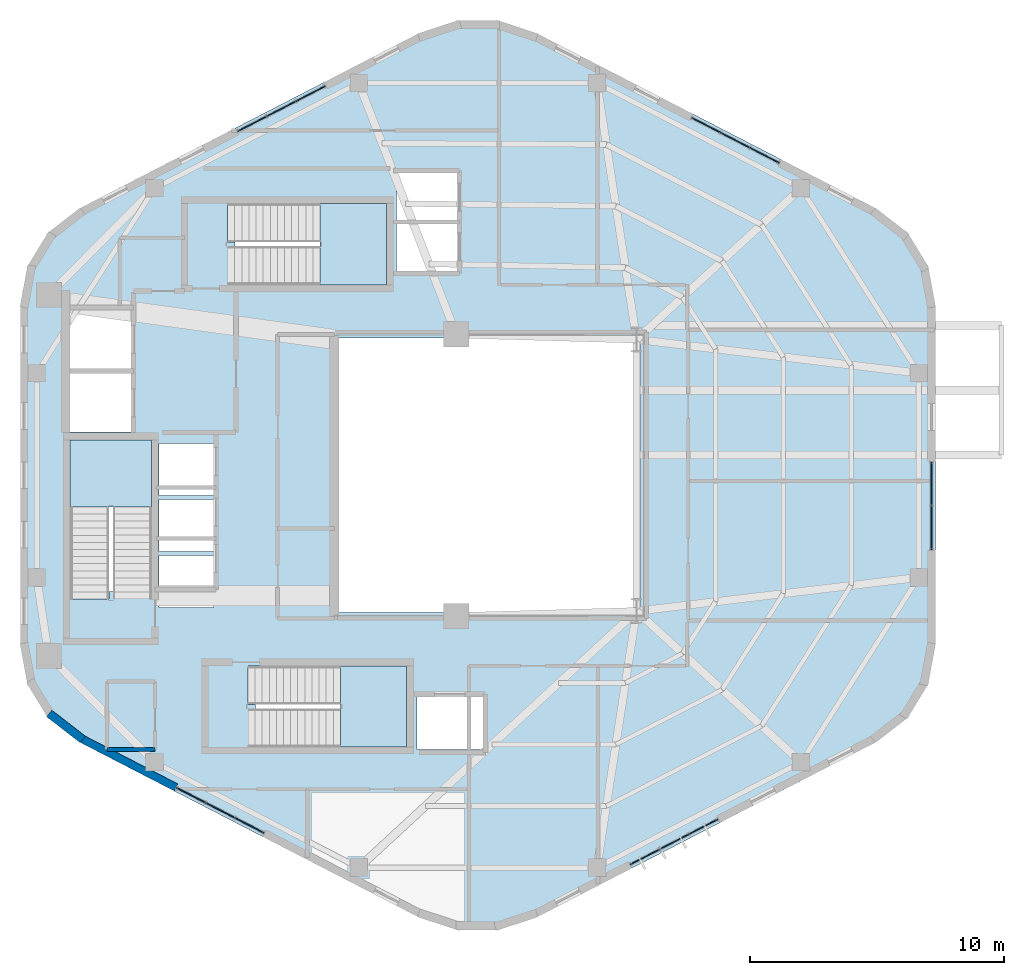
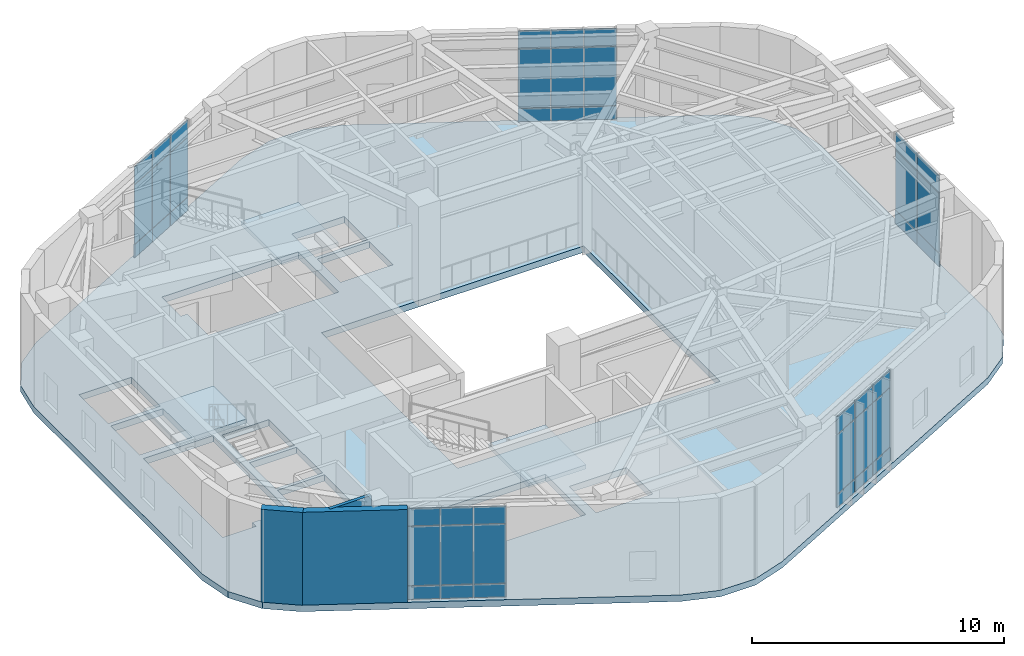
# One storey, part 13 of 18: 42 plates, 4 slabs, 3 walls, 8 elements without a shape of their own.
"""IFC4 building model written with IfcOpenShell, lengths in metres."""

from ifc_helpers import new_model, si_unit, direction, frame, frame_2d, origin, origin_2d, place, context, subcontext, project, spatial, polyline, rectangle, outline, extrude, material, layer, layer_set, type_object, element, aggregate, save


model = new_model("IFC4")

# Units and contexts
model_context = context("Model", 3, precision=1e-05, world=origin(), true_north=direction((0.0, 1.0)))
body_context = subcontext(model_context, "Body", "Model", "MODEL_VIEW")
ifc_project = project(units=[si_unit("LENGTHUNIT", "METRE"), si_unit("AREAUNIT", "SQUARE_METRE"), si_unit("VOLUMEUNIT", "CUBIC_METRE"), si_unit("PLANEANGLEUNIT", "RADIAN"), si_unit("MASSUNIT", "GRAM", prefix="KILO"), si_unit("THERMODYNAMICTEMPERATUREUNIT", "KELVIN"), si_unit("POWERUNIT", "WATT")], contexts=[model_context])

# Site, building, storey
site_placement = place(None, origin())
site = spatial("IfcSite", under=ifc_project, at=site_placement, CompositionType="ELEMENT")
building_placement = place(site_placement, origin())
building = spatial("IfcBuilding", under=site, at=building_placement, Name="Skarre Station Tower", CompositionType="ELEMENT")
storey_placement = place(building_placement, frame((0.0, 0.0, 270.300048828125)))
storey = spatial("IfcBuildingStorey", under=building, at=storey_placement, Name="L74", CompositionType="ELEMENT", Elevation=270.300048828125)

# Curtain wall, plates
ifc_material_1 = material(Name="Thermally Broken Bronze-Anodized Aluminium & Triple Low-E Glass", Category="aluminium")
ifc_layer_1 = layer(ifc_material_1, 0.219970703125, Name="Thermally Broken Bronze-Anodized Aluminium & Triple Low-E Glass")
ifc_layer_set_1 = layer_set([ifc_layer_1], Name="Thermally Broken Bronze-Anodized Aluminium & Triple Low-E Glass")
curtain_wall_type = type_object("IfcCurtainWallType", Name="Observation Deck Panorama Unitised Curtain Wall", PredefinedType="NOTDEFINED", material=ifc_layer_set_1)
curtain_wall_1_placement = place(storey_placement, origin())
curtain_wall_1 = element("IfcCurtainWall", 1, at=curtain_wall_1_placement, inside=storey, type_object=curtain_wall_type, Name="L74 Facet 0 Observatory Curtain Wall", PredefinedType="NOTDEFINED")
ifc_material_2 = material(Name="Insulated Bronze Anodized Aluminium Spandrel", Category="aluminium")
ifc_layer_2 = layer(ifc_material_2, 0.052001953125, Name="Insulated Bronze Anodized Aluminium Spandrel")
ifc_layer_set_2 = layer_set([ifc_layer_2], Name="Insulated Bronze Anodized Aluminium Spandrel")
plate_type_1 = type_object("IfcPlateType", Name="Bronze Insulated Spandrel Sheet Panel 52", PredefinedType="SHEET", material=ifc_layer_set_2)
plate_1_placement = place(storey_placement, frame((42.180908203125, 37.7890625, 0.0517578125), z_axis=(0.0, 0.0, 1.0), x_axis=(0.88848110948, -0.458913192332, 0.0)))
plate_1 = element("IfcPlate", 2, at=plate_1_placement, type_object=plate_type_1, Name="L74 Facet 0 Observatory Curtain Wall Spandrel Panel 1-1", PredefinedType="SHEET", context=body_context, shape_type="SweptSolid", body=[
    extrude(rectangle(XDim=1.282958984375, YDim=0.052001953125, at=origin_2d()), origin(), (0.0, 0.0, 1.0), 0.635986328125),
])
plate_2_placement = place(storey_placement, frame((43.341064453125, 37.18896484375, 0.0517578125), z_axis=(0.0, 0.0, 1.0), x_axis=(0.88848110948, -0.458913192332, 0.0)))
plate_2 = element("IfcPlate", 3, at=plate_2_placement, type_object=plate_type_1, Name="L74 Facet 0 Observatory Curtain Wall Spandrel Panel 2-1", PredefinedType="SHEET", context=body_context, shape_type="SweptSolid", body=[
    extrude(rectangle(XDim=1.282958984375, YDim=0.052001953125, at=origin_2d()), origin(), (0.0, 0.0, 1.0), 0.635986328125),
])
plate_3_placement = place(storey_placement, frame((44.501953125, 36.590087890625, 0.0517578125), z_axis=(0.0, 0.0, 1.0), x_axis=(0.88848110948, -0.458913192332, 0.0)))
plate_3 = element("IfcPlate", 4, at=plate_3_placement, type_object=plate_type_1, Name="L74 Facet 0 Observatory Curtain Wall Spandrel Panel 3-1", PredefinedType="SHEET", context=body_context, shape_type="SweptSolid", body=[
    extrude(rectangle(XDim=1.282958984375, YDim=0.052001953125, at=origin_2d()), origin(), (0.0, 0.0, 1.0), 0.635986328125),
])

curtain_wall_2_placement = place(storey_placement, origin())
curtain_wall_2 = element("IfcCurtainWall", 5, at=curtain_wall_2_placement, inside=storey, type_object=curtain_wall_type, Name="L74 Facet 1 Observatory Curtain Wall", PredefinedType="NOTDEFINED")
plate_4_placement = place(storey_placement, frame((24.30908203125, 37.8349609375, 0.0517578125), z_axis=(0.0, 0.0, 1.0), x_axis=(0.88848110948, 0.458913192332, 0.0)))
plate_4 = element("IfcPlate", 6, at=plate_4_placement, type_object=plate_type_1, Name="L74 Facet 1 Observatory Curtain Wall Spandrel Panel 1-1", PredefinedType="SHEET", context=body_context, shape_type="SweptSolid", body=[
    extrude(rectangle(XDim=1.282958984375, YDim=0.052001953125, at=origin_2d()), origin(), (0.0, 0.0, 1.0), 0.635986328125),
])
plate_5_placement = place(storey_placement, frame((25.470947265625, 38.43408203125, 0.0517578125), z_axis=(0.0, 0.0, 1.0), x_axis=(0.88848110948, 0.458913192332, 0.0)))
plate_5 = element("IfcPlate", 7, at=plate_5_placement, type_object=plate_type_1, Name="L74 Facet 1 Observatory Curtain Wall Spandrel Panel 2-1", PredefinedType="SHEET", context=body_context, shape_type="SweptSolid", body=[
    extrude(rectangle(XDim=1.282958984375, YDim=0.052001953125, at=origin_2d()), origin(), (0.0, 0.0, 1.0), 0.635986328125),
])
plate_6_placement = place(storey_placement, frame((26.631103515625, 39.033935546875, 0.0517578125), z_axis=(0.0, 0.0, 1.0), x_axis=(0.88848110948, 0.458913192332, 0.0)))
plate_6 = element("IfcPlate", 8, at=plate_6_placement, type_object=plate_type_1, Name="L74 Facet 1 Observatory Curtain Wall Spandrel Panel 3-1", PredefinedType="SHEET", context=body_context, shape_type="SweptSolid", body=[
    extrude(rectangle(XDim=1.282958984375, YDim=0.052001953125, at=origin_2d()), origin(), (0.0, 0.0, 1.0), 0.635986328125),
])

curtain_wall_3_placement = place(storey_placement, origin())
curtain_wall_3 = element("IfcCurtainWall", 9, at=curtain_wall_3_placement, inside=storey, type_object=curtain_wall_type, Name="L74 Facet 3 Observatory Curtain Wall", PredefinedType="NOTDEFINED")
plate_7_placement = place(storey_placement, frame((24.219970703125, 10.2109375, 0.0517578125), z_axis=(0.0, 0.0, 1.0), x_axis=(-0.88848110948, 0.458913192332, 0.0)))
plate_7 = element("IfcPlate", 10, at=plate_7_placement, type_object=plate_type_1, Name="L74 Facet 3 Observatory Curtain Wall Spandrel Panel 1-1", PredefinedType="SHEET", context=body_context, shape_type="SweptSolid", body=[
    extrude(rectangle(XDim=1.282958984375, YDim=0.052001953125, at=origin_2d()), origin(), (0.0, 0.0, 1.0), 0.635986328125),
])
plate_8_placement = place(storey_placement, frame((23.05908203125, 10.81103515625, 0.0517578125), z_axis=(0.0, 0.0, 1.0), x_axis=(-0.88848110948, 0.458913192332, 0.0)))
plate_8 = element("IfcPlate", 11, at=plate_8_placement, type_object=plate_type_1, Name="L74 Facet 3 Observatory Curtain Wall Spandrel Panel 2-1", PredefinedType="SHEET", context=body_context, shape_type="SweptSolid", body=[
    extrude(rectangle(XDim=1.282958984375, YDim=0.052001953125, at=origin_2d()), origin(), (0.0, 0.0, 1.0), 0.635986328125),
])
plate_9_placement = place(storey_placement, frame((21.89794921875, 11.409912109375, 0.0517578125), z_axis=(0.0, 0.0, 1.0), x_axis=(-0.88848110948, 0.458913192332, 0.0)))
plate_9 = element("IfcPlate", 12, at=plate_9_placement, type_object=plate_type_1, Name="L74 Facet 3 Observatory Curtain Wall Spandrel Panel 3-1", PredefinedType="SHEET", context=body_context, shape_type="SweptSolid", body=[
    extrude(rectangle(XDim=1.282958984375, YDim=0.052001953125, at=origin_2d()), origin(), (0.0, 0.0, 1.0), 0.635986328125),
])

curtain_wall_4_placement = place(storey_placement, origin())
curtain_wall_4 = element("IfcCurtainWall", 13, at=curtain_wall_4_placement, inside=storey, type_object=curtain_wall_type, Name="L74 Facet 4 Observatory Curtain Wall", PredefinedType="NOTDEFINED")
plate_10_placement = place(storey_placement, frame((42.090087890625, 10.1650390625, 0.0517578125), z_axis=(0.0, 0.0, 1.0), x_axis=(-0.88848110948, -0.458913192332, 0.0)))
plate_10 = element("IfcPlate", 14, at=plate_10_placement, type_object=plate_type_1, Name="L74 Facet 4 Observatory Curtain Wall Spandrel Panel 1-1", PredefinedType="SHEET", context=body_context, shape_type="SweptSolid", body=[
    extrude(rectangle(XDim=1.282958984375, YDim=0.052001953125, at=origin_2d()), origin(), (0.0, 0.0, 1.0), 0.635986328125),
])
plate_11_placement = place(storey_placement, frame((40.929931640625, 9.56591796875, 0.0517578125), z_axis=(0.0, 0.0, 1.0), x_axis=(-0.88848110948, -0.458913192332, 0.0)))
plate_11 = element("IfcPlate", 15, at=plate_11_placement, type_object=plate_type_1, Name="L74 Facet 4 Observatory Curtain Wall Spandrel Panel 2-1", PredefinedType="SHEET", context=body_context, shape_type="SweptSolid", body=[
    extrude(rectangle(XDim=1.282958984375, YDim=0.052001953125, at=origin_2d()), origin(), (0.0, 0.0, 1.0), 0.635986328125),
])
plate_12_placement = place(storey_placement, frame((39.76904296875, 8.966064453125, 0.0517578125), z_axis=(0.0, 0.0, 1.0), x_axis=(-0.88848110948, -0.458913192332, 0.0)))
plate_12 = element("IfcPlate", 16, at=plate_12_placement, type_object=plate_type_1, Name="L74 Facet 4 Observatory Curtain Wall Spandrel Panel 3-1", PredefinedType="SHEET", context=body_context, shape_type="SweptSolid", body=[
    extrude(rectangle(XDim=1.282958984375, YDim=0.052001953125, at=origin_2d()), origin(), (0.0, 0.0, 1.0), 0.635986328125),
])

curtain_wall_5_placement = place(storey_placement, origin())
curtain_wall_5 = element("IfcCurtainWall", 17, at=curtain_wall_5_placement, inside=storey, type_object=curtain_wall_type, Name="L74 Facet 5 Observatory Curtain Wall", PredefinedType="NOTDEFINED")
plate_13_placement = place(storey_placement, frame((51.05810546875, 23.6650390625, 0.0517578125), z_axis=(0.0, 0.0, 1.0), x_axis=(0.0, -1.0, 0.0)))
plate_13 = element("IfcPlate", 18, at=plate_13_placement, type_object=plate_type_1, Name="L74 Facet 5 Observatory Curtain Wall Spandrel Panel 1-1", PredefinedType="SHEET", context=body_context, shape_type="SweptSolid", body=[
    extrude(rectangle(XDim=1.718994140625, YDim=0.052001953125, at=origin_2d()), origin(), (0.0, 0.0, 1.0), 0.635986328125),
])
plate_14_placement = place(storey_placement, frame((51.05810546875, 21.922119140625, 0.0517578125), z_axis=(0.0, 0.0, 1.0), x_axis=(0.0, -1.0, 0.0)))
plate_14 = element("IfcPlate", 19, at=plate_14_placement, type_object=plate_type_1, Name="L74 Facet 5 Observatory Curtain Wall Spandrel Panel 2-1", PredefinedType="SHEET", context=body_context, shape_type="SweptSolid", body=[
    extrude(rectangle(XDim=1.718994140625, YDim=0.052001953125, at=origin_2d()), origin(), (0.0, 0.0, 1.0), 0.635986328125),
])

# Slab
ifc_material_3 = material(Name="Concrete C50/60", Category="concrete")
ifc_layer_3 = layer(ifc_material_3, 0.31005859375, Name="Concrete C50/60")
ifc_layer_set_3 = layer_set([ifc_layer_3], Name="Concrete C50/60")
slab_type_1 = type_object("IfcSlabType", Name="Podium & Plant Structural Slab 310", PredefinedType="FLOOR", material=ifc_layer_set_3)
slab_1_placement = place(storey_placement, frame((0.0, 0.0, -0.31005859375)))
element("IfcSlab", 20, at=slab_1_placement, inside=storey, type_object=slab_type_1, Name="L74 Zone 4 Structural Floor Slab", PredefinedType="FLOOR", context=body_context, shape_type="SweptSolid", body=[
    extrude(outline(polyline([(51.212890625, 30.701904296875), (50.93310546875, 32.222900390625), (50.1279296875, 33.544921875), (48.905029296875, 34.491943359375), (35.508056640625, 41.407958984375), (33.99609375, 41.906005859375), (32.404052734375, 41.906005859375), (30.89208984375, 41.407958984375), (17.4951171875, 34.491943359375), (16.27197265625, 33.544921875), (15.467041015625, 32.222900390625), (15.18701171875, 30.701904296875), (15.18701171875, 17.298095703125), (15.467041015625, 15.777099609375), (16.27197265625, 14.455078125), (17.4951171875, 13.508056640625), (30.89208984375, 6.592041015625), (32.404052734375, 6.093994140625), (33.99609375, 6.093994140625), (35.508056640625, 6.592041015625), (48.905029296875, 13.508056640625), (50.1279296875, 14.455078125), (50.93310546875, 15.777099609375), (51.212890625, 17.298095703125), (51.212890625, 30.701904296875)]), holes=[polyline([(18.669921875, 19.419921875), (18.669921875, 19.123046875), (17.14990234375, 19.123046875), (17.14990234375, 25.39990234375), (20.35009765625, 25.39990234375), (20.35009765625, 19.419921875), (18.669921875, 19.419921875)]), polyline([(24.449951171875, 14.97998046875), (24.153076171875, 14.97998046875), (24.153076171875, 16.5), (30.39990234375, 16.5), (30.39990234375, 13.300048828125), (24.449951171875, 13.300048828125), (24.449951171875, 14.97998046875)]), polyline([(23.64990234375, 33.179931640625), (23.35302734375, 33.179931640625), (23.35302734375, 34.699951171875), (29.60009765625, 34.699951171875), (29.60009765625, 31.5), (23.64990234375, 31.5), (23.64990234375, 33.179931640625)]), polyline([(17.14990234375, 28.0), (19.550048828125, 28.0), (19.550048828125, 25.699951171875), (17.14990234375, 25.699951171875), (17.14990234375, 28.0)]), polyline([(17.14990234375, 30.5), (19.550048828125, 30.5), (19.550048828125, 28.199951171875), (17.14990234375, 28.199951171875), (17.14990234375, 30.5)]), polyline([(30.800048828125, 15.300048828125), (33.39990234375, 15.300048828125), (33.39990234375, 13.199951171875), (30.800048828125, 13.199951171875), (30.800048828125, 15.300048828125)]), polyline([(20.64990234375, 20.85009765625), (22.800048828125, 20.85009765625), (22.800048828125, 18.800048828125), (20.64990234375, 18.800048828125), (20.64990234375, 20.85009765625)]), polyline([(20.64990234375, 23.050048828125), (22.800048828125, 23.050048828125), (22.800048828125, 21.0), (20.64990234375, 21.0), (20.64990234375, 23.050048828125)]), polyline([(20.64990234375, 25.25), (22.800048828125, 25.25), (22.800048828125, 23.199951171875), (20.64990234375, 23.199951171875), (20.64990234375, 25.25)]), polyline([(30.0, 33.89990234375), (32.39990234375, 33.89990234375), (32.39990234375, 32.050048828125), (30.0, 32.050048828125), (30.0, 33.89990234375)]), polyline([(30.0, 35.89990234375), (32.39990234375, 35.89990234375), (32.39990234375, 34.050048828125), (30.0, 34.050048828125), (30.0, 35.89990234375)]), polyline([(27.60009765625, 29.39990234375), (39.60009765625, 29.39990234375), (39.60009765625, 18.60009765625), (27.60009765625, 18.60009765625), (27.60009765625, 29.39990234375)])]), origin(), (0.0, 0.0, 1.0), 0.31005859375),
])

# Stair, slab
ifc_material_4 = material(Name="Concrete C40/50", Category="concrete")
stair_type_1 = type_object("IfcStairType", Name="Reinforced Concrete Exit Stair ST-1", PredefinedType="HALF_TURN_STAIR", material=ifc_material_4)
stair_1_placement = place(storey_placement, origin())
stair_1 = element("IfcStair", 21, at=stair_1_placement, inside=storey, type_object=stair_type_1, Name="L74 Core Exit Stair ST-1", PredefinedType="HALF_TURN_STAIR")
ifc_layer_4 = layer(ifc_material_4, 0.219970703125, Name="Concrete C40/50")
ifc_layer_set_4 = layer_set([ifc_layer_4], Name="Concrete C40/50")
slab_type_2 = type_object("IfcSlabType", Name="Reinforced Concrete Stair & Ramp Landing 220", PredefinedType="LANDING", material=ifc_layer_set_4)
slab_2_placement = place(storey_placement, frame((0.0, 0.0, 2.199951171875)))
slab_2 = element("IfcSlab", 22, at=slab_2_placement, type_object=slab_type_2, Name="ST-1 landing 1", PredefinedType="LANDING", context=body_context, shape_type="SweptSolid", body=[
    extrude(outline(polyline([(20.35009765625, 22.760009765625), (20.35009765625, 25.39990234375), (17.14990234375, 25.39990234375), (17.14990234375, 22.760009765625), (20.35009765625, 22.760009765625)])), origin(), (0.0, 0.0, 1.0), 0.199951171875),
])
aggregate(stair_1, [slab_2])

stair_type_2 = type_object("IfcStairType", Name="Reinforced Concrete Exit Stair ST-2", PredefinedType="HALF_TURN_STAIR", material=ifc_material_4)
stair_2_placement = place(storey_placement, origin())
stair_2 = element("IfcStair", 23, at=stair_2_placement, inside=storey, type_object=stair_type_2, Name="L74 Core Exit Stair ST-2", PredefinedType="HALF_TURN_STAIR")
slab_3_placement = place(storey_placement, frame((0.0, 0.0, 2.199951171875)))
slab_3 = element("IfcSlab", 24, at=slab_3_placement, type_object=slab_type_2, Name="ST-2 landing 1", PredefinedType="LANDING", context=body_context, shape_type="SweptSolid", body=[
    extrude(outline(polyline([(27.7900390625, 13.300048828125), (30.39990234375, 13.300048828125), (30.39990234375, 16.5), (27.7900390625, 16.5), (27.7900390625, 13.300048828125)])), origin(), (0.0, 0.0, 1.0), 0.199951171875),
])
aggregate(stair_2, [slab_3])

stair_type_3 = type_object("IfcStairType", Name="Reinforced Concrete Exit Stair ST-3", PredefinedType="HALF_TURN_STAIR", material=ifc_material_4)
stair_3_placement = place(storey_placement, origin())
stair_3 = element("IfcStair", 25, at=stair_3_placement, inside=storey, type_object=stair_type_3, Name="L74 Core Exit Stair ST-3", PredefinedType="HALF_TURN_STAIR")
slab_4_placement = place(storey_placement, frame((0.0, 0.0, 2.199951171875)))
slab_4 = element("IfcSlab", 26, at=slab_4_placement, type_object=slab_type_2, Name="ST-3 landing 1", PredefinedType="LANDING", context=body_context, shape_type="SweptSolid", body=[
    extrude(outline(polyline([(26.989990234375, 31.5), (29.60009765625, 31.5), (29.60009765625, 34.699951171875), (26.989990234375, 34.699951171875), (26.989990234375, 31.5)])), origin(), (0.0, 0.0, 1.0), 0.199951171875),
])
aggregate(stair_3, [slab_4])

# Plate
ifc_material_5 = material(Name="Low-Iron Triple Insulating Glass Unit", Category="glass")
ifc_layer_5 = layer(ifc_material_5, 0.0439453125, Name="Low-Iron Triple Insulating Glass Unit")
ifc_layer_set_5 = layer_set([ifc_layer_5], Name="Low-Iron Triple Insulating Glass Unit")
plate_type_2 = type_object("IfcPlateType", Name="Triple-Glazed Vision Curtain Panel 44", PredefinedType="CURTAIN_PANEL", material=ifc_layer_set_5)
plate_15_placement = place(storey_placement, frame((42.180908203125, 37.7890625, 0.7119140625), z_axis=(0.0, 0.0, 1.0), x_axis=(0.88848110948, -0.458913192332, 0.0)))
plate_15 = element("IfcPlate", 27, at=plate_15_placement, type_object=plate_type_2, Name="L74 Facet 0 Observatory Curtain Wall Vision Panel 1-2", PredefinedType="CURTAIN_PANEL", context=body_context, shape_type="SweptSolid", body=[
    extrude(rectangle(XDim=1.282958984375, YDim=0.0439453125, at=origin_2d()), origin(), (0.0, 0.0, 1.0), 2.865966796875),
])

plate_16_placement = place(storey_placement, frame((42.180908203125, 37.7890625, 3.60205078125), z_axis=(0.0, 0.0, 1.0), x_axis=(0.88848110948, -0.458913192332, 0.0)))
plate_16 = element("IfcPlate", 28, at=plate_16_placement, type_object=plate_type_2, Name="L74 Facet 0 Observatory Curtain Wall Vision Panel 1-3", PredefinedType="CURTAIN_PANEL", context=body_context, shape_type="SweptSolid", body=[
    extrude(rectangle(XDim=1.282958984375, YDim=0.0439453125, at=origin_2d()), origin(), (0.0, 0.0, 1.0), 0.8359375),
])

plate_17_placement = place(storey_placement, frame((43.341064453125, 37.18896484375, 0.7119140625), z_axis=(0.0, 0.0, 1.0), x_axis=(0.88848110948, -0.458913192332, 0.0)))
plate_17 = element("IfcPlate", 29, at=plate_17_placement, type_object=plate_type_2, Name="L74 Facet 0 Observatory Curtain Wall Vision Panel 2-2", PredefinedType="CURTAIN_PANEL", context=body_context, shape_type="SweptSolid", body=[
    extrude(rectangle(XDim=1.282958984375, YDim=0.0439453125, at=origin_2d()), origin(), (0.0, 0.0, 1.0), 2.865966796875),
])

plate_18_placement = place(storey_placement, frame((43.341064453125, 37.18896484375, 3.60205078125), z_axis=(0.0, 0.0, 1.0), x_axis=(0.88848110948, -0.458913192332, 0.0)))
plate_18 = element("IfcPlate", 30, at=plate_18_placement, type_object=plate_type_2, Name="L74 Facet 0 Observatory Curtain Wall Vision Panel 2-3", PredefinedType="CURTAIN_PANEL", context=body_context, shape_type="SweptSolid", body=[
    extrude(rectangle(XDim=1.282958984375, YDim=0.0439453125, at=origin_2d()), origin(), (0.0, 0.0, 1.0), 0.8359375),
])

plate_19_placement = place(storey_placement, frame((44.501953125, 36.590087890625, 0.7119140625), z_axis=(0.0, 0.0, 1.0), x_axis=(0.88848110948, -0.458913192332, 0.0)))
plate_19 = element("IfcPlate", 31, at=plate_19_placement, type_object=plate_type_2, Name="L74 Facet 0 Observatory Curtain Wall Vision Panel 3-2", PredefinedType="CURTAIN_PANEL", context=body_context, shape_type="SweptSolid", body=[
    extrude(rectangle(XDim=1.282958984375, YDim=0.0439453125, at=origin_2d()), origin(), (0.0, 0.0, 1.0), 2.865966796875),
])

plate_20_placement = place(storey_placement, frame((44.501953125, 36.590087890625, 3.60205078125), z_axis=(0.0, 0.0, 1.0), x_axis=(0.88848110948, -0.458913192332, 0.0)))
plate_20 = element("IfcPlate", 32, at=plate_20_placement, type_object=plate_type_2, Name="L74 Facet 0 Observatory Curtain Wall Vision Panel 3-3", PredefinedType="CURTAIN_PANEL", context=body_context, shape_type="SweptSolid", body=[
    extrude(rectangle(XDim=1.282958984375, YDim=0.0439453125, at=origin_2d()), origin(), (0.0, 0.0, 1.0), 0.8359375),
])

aggregate(curtain_wall_1, [plate_1, plate_15, plate_16, plate_2, plate_17, plate_18, plate_3, plate_19, plate_20])

plate_21_placement = place(storey_placement, frame((24.30908203125, 37.8349609375, 0.7119140625), z_axis=(0.0, 0.0, 1.0), x_axis=(0.88848110948, 0.458913192332, 0.0)))
plate_21 = element("IfcPlate", 33, at=plate_21_placement, type_object=plate_type_2, Name="L74 Facet 1 Observatory Curtain Wall Vision Panel 1-2", PredefinedType="CURTAIN_PANEL", context=body_context, shape_type="SweptSolid", body=[
    extrude(rectangle(XDim=1.282958984375, YDim=0.0439453125, at=origin_2d()), origin(), (0.0, 0.0, 1.0), 2.865966796875),
])

plate_22_placement = place(storey_placement, frame((24.30908203125, 37.8349609375, 3.60205078125), z_axis=(0.0, 0.0, 1.0), x_axis=(0.88848110948, 0.458913192332, 0.0)))
plate_22 = element("IfcPlate", 34, at=plate_22_placement, type_object=plate_type_2, Name="L74 Facet 1 Observatory Curtain Wall Vision Panel 1-3", PredefinedType="CURTAIN_PANEL", context=body_context, shape_type="SweptSolid", body=[
    extrude(rectangle(XDim=1.282958984375, YDim=0.0439453125, at=origin_2d()), origin(), (0.0, 0.0, 1.0), 0.8359375),
])

plate_23_placement = place(storey_placement, frame((25.470947265625, 38.43408203125, 0.7119140625), z_axis=(0.0, 0.0, 1.0), x_axis=(0.88848110948, 0.458913192332, 0.0)))
plate_23 = element("IfcPlate", 35, at=plate_23_placement, type_object=plate_type_2, Name="L74 Facet 1 Observatory Curtain Wall Vision Panel 2-2", PredefinedType="CURTAIN_PANEL", context=body_context, shape_type="SweptSolid", body=[
    extrude(rectangle(XDim=1.282958984375, YDim=0.0439453125, at=origin_2d()), origin(), (0.0, 0.0, 1.0), 2.865966796875),
])

plate_24_placement = place(storey_placement, frame((25.470947265625, 38.43408203125, 3.60205078125), z_axis=(0.0, 0.0, 1.0), x_axis=(0.88848110948, 0.458913192332, 0.0)))
plate_24 = element("IfcPlate", 36, at=plate_24_placement, type_object=plate_type_2, Name="L74 Facet 1 Observatory Curtain Wall Vision Panel 2-3", PredefinedType="CURTAIN_PANEL", context=body_context, shape_type="SweptSolid", body=[
    extrude(rectangle(XDim=1.282958984375, YDim=0.0439453125, at=origin_2d()), origin(), (0.0, 0.0, 1.0), 0.8359375),
])

plate_25_placement = place(storey_placement, frame((26.631103515625, 39.033935546875, 0.7119140625), z_axis=(0.0, 0.0, 1.0), x_axis=(0.88848110948, 0.458913192332, 0.0)))
plate_25 = element("IfcPlate", 37, at=plate_25_placement, type_object=plate_type_2, Name="L74 Facet 1 Observatory Curtain Wall Vision Panel 3-2", PredefinedType="CURTAIN_PANEL", context=body_context, shape_type="SweptSolid", body=[
    extrude(rectangle(XDim=1.282958984375, YDim=0.0439453125, at=origin_2d()), origin(), (0.0, 0.0, 1.0), 2.865966796875),
])

plate_26_placement = place(storey_placement, frame((26.631103515625, 39.033935546875, 3.60205078125), z_axis=(0.0, 0.0, 1.0), x_axis=(0.88848110948, 0.458913192332, 0.0)))
plate_26 = element("IfcPlate", 38, at=plate_26_placement, type_object=plate_type_2, Name="L74 Facet 1 Observatory Curtain Wall Vision Panel 3-3", PredefinedType="CURTAIN_PANEL", context=body_context, shape_type="SweptSolid", body=[
    extrude(rectangle(XDim=1.282958984375, YDim=0.0439453125, at=origin_2d()), origin(), (0.0, 0.0, 1.0), 0.8359375),
])

aggregate(curtain_wall_2, [plate_4, plate_21, plate_22, plate_5, plate_23, plate_24, plate_6, plate_25, plate_26])

plate_27_placement = place(storey_placement, frame((24.219970703125, 10.2109375, 0.7119140625), z_axis=(0.0, 0.0, 1.0), x_axis=(-0.88848110948, 0.458913192332, 0.0)))
plate_27 = element("IfcPlate", 39, at=plate_27_placement, type_object=plate_type_2, Name="L74 Facet 3 Observatory Curtain Wall Vision Panel 1-2", PredefinedType="CURTAIN_PANEL", context=body_context, shape_type="SweptSolid", body=[
    extrude(rectangle(XDim=1.282958984375, YDim=0.0439453125, at=origin_2d()), origin(), (0.0, 0.0, 1.0), 2.865966796875),
])

plate_28_placement = place(storey_placement, frame((24.219970703125, 10.2109375, 3.60205078125), z_axis=(0.0, 0.0, 1.0), x_axis=(-0.88848110948, 0.458913192332, 0.0)))
plate_28 = element("IfcPlate", 40, at=plate_28_placement, type_object=plate_type_2, Name="L74 Facet 3 Observatory Curtain Wall Vision Panel 1-3", PredefinedType="CURTAIN_PANEL", context=body_context, shape_type="SweptSolid", body=[
    extrude(rectangle(XDim=1.282958984375, YDim=0.0439453125, at=origin_2d()), origin(), (0.0, 0.0, 1.0), 0.8359375),
])

plate_29_placement = place(storey_placement, frame((23.05908203125, 10.81103515625, 0.7119140625), z_axis=(0.0, 0.0, 1.0), x_axis=(-0.88848110948, 0.458913192332, 0.0)))
plate_29 = element("IfcPlate", 41, at=plate_29_placement, type_object=plate_type_2, Name="L74 Facet 3 Observatory Curtain Wall Vision Panel 2-2", PredefinedType="CURTAIN_PANEL", context=body_context, shape_type="SweptSolid", body=[
    extrude(rectangle(XDim=1.282958984375, YDim=0.0439453125, at=origin_2d()), origin(), (0.0, 0.0, 1.0), 2.865966796875),
])

plate_30_placement = place(storey_placement, frame((23.05908203125, 10.81103515625, 3.60205078125), z_axis=(0.0, 0.0, 1.0), x_axis=(-0.88848110948, 0.458913192332, 0.0)))
plate_30 = element("IfcPlate", 42, at=plate_30_placement, type_object=plate_type_2, Name="L74 Facet 3 Observatory Curtain Wall Vision Panel 2-3", PredefinedType="CURTAIN_PANEL", context=body_context, shape_type="SweptSolid", body=[
    extrude(rectangle(XDim=1.282958984375, YDim=0.0439453125, at=origin_2d()), origin(), (0.0, 0.0, 1.0), 0.8359375),
])

plate_31_placement = place(storey_placement, frame((21.89794921875, 11.409912109375, 0.7119140625), z_axis=(0.0, 0.0, 1.0), x_axis=(-0.88848110948, 0.458913192332, 0.0)))
plate_31 = element("IfcPlate", 43, at=plate_31_placement, type_object=plate_type_2, Name="L74 Facet 3 Observatory Curtain Wall Vision Panel 3-2", PredefinedType="CURTAIN_PANEL", context=body_context, shape_type="SweptSolid", body=[
    extrude(rectangle(XDim=1.282958984375, YDim=0.0439453125, at=origin_2d()), origin(), (0.0, 0.0, 1.0), 2.865966796875),
])

plate_32_placement = place(storey_placement, frame((21.89794921875, 11.409912109375, 3.60205078125), z_axis=(0.0, 0.0, 1.0), x_axis=(-0.88848110948, 0.458913192332, 0.0)))
plate_32 = element("IfcPlate", 44, at=plate_32_placement, type_object=plate_type_2, Name="L74 Facet 3 Observatory Curtain Wall Vision Panel 3-3", PredefinedType="CURTAIN_PANEL", context=body_context, shape_type="SweptSolid", body=[
    extrude(rectangle(XDim=1.282958984375, YDim=0.0439453125, at=origin_2d()), origin(), (0.0, 0.0, 1.0), 0.8359375),
])

aggregate(curtain_wall_3, [plate_7, plate_27, plate_28, plate_8, plate_29, plate_30, plate_9, plate_31, plate_32])

plate_33_placement = place(storey_placement, frame((42.090087890625, 10.1650390625, 0.7119140625), z_axis=(0.0, 0.0, 1.0), x_axis=(-0.88848110948, -0.458913192332, 0.0)))
plate_33 = element("IfcPlate", 45, at=plate_33_placement, type_object=plate_type_2, Name="L74 Facet 4 Observatory Curtain Wall Vision Panel 1-2", PredefinedType="CURTAIN_PANEL", context=body_context, shape_type="SweptSolid", body=[
    extrude(rectangle(XDim=1.282958984375, YDim=0.0439453125, at=origin_2d()), origin(), (0.0, 0.0, 1.0), 2.865966796875),
])

plate_34_placement = place(storey_placement, frame((42.090087890625, 10.1650390625, 3.60205078125), z_axis=(0.0, 0.0, 1.0), x_axis=(-0.88848110948, -0.458913192332, 0.0)))
plate_34 = element("IfcPlate", 46, at=plate_34_placement, type_object=plate_type_2, Name="L74 Facet 4 Observatory Curtain Wall Vision Panel 1-3", PredefinedType="CURTAIN_PANEL", context=body_context, shape_type="SweptSolid", body=[
    extrude(rectangle(XDim=1.282958984375, YDim=0.0439453125, at=origin_2d()), origin(), (0.0, 0.0, 1.0), 0.8359375),
])

plate_35_placement = place(storey_placement, frame((40.929931640625, 9.56591796875, 0.7119140625), z_axis=(0.0, 0.0, 1.0), x_axis=(-0.88848110948, -0.458913192332, 0.0)))
plate_35 = element("IfcPlate", 47, at=plate_35_placement, type_object=plate_type_2, Name="L74 Facet 4 Observatory Curtain Wall Vision Panel 2-2", PredefinedType="CURTAIN_PANEL", context=body_context, shape_type="SweptSolid", body=[
    extrude(rectangle(XDim=1.282958984375, YDim=0.0439453125, at=origin_2d()), origin(), (0.0, 0.0, 1.0), 2.865966796875),
])

plate_36_placement = place(storey_placement, frame((40.929931640625, 9.56591796875, 3.60205078125), z_axis=(0.0, 0.0, 1.0), x_axis=(-0.88848110948, -0.458913192332, 0.0)))
plate_36 = element("IfcPlate", 48, at=plate_36_placement, type_object=plate_type_2, Name="L74 Facet 4 Observatory Curtain Wall Vision Panel 2-3", PredefinedType="CURTAIN_PANEL", context=body_context, shape_type="SweptSolid", body=[
    extrude(rectangle(XDim=1.282958984375, YDim=0.0439453125, at=origin_2d()), origin(), (0.0, 0.0, 1.0), 0.8359375),
])

plate_37_placement = place(storey_placement, frame((39.76904296875, 8.966064453125, 0.7119140625), z_axis=(0.0, 0.0, 1.0), x_axis=(-0.88848110948, -0.458913192332, 0.0)))
plate_37 = element("IfcPlate", 49, at=plate_37_placement, type_object=plate_type_2, Name="L74 Facet 4 Observatory Curtain Wall Vision Panel 3-2", PredefinedType="CURTAIN_PANEL", context=body_context, shape_type="SweptSolid", body=[
    extrude(rectangle(XDim=1.282958984375, YDim=0.0439453125, at=origin_2d()), origin(), (0.0, 0.0, 1.0), 2.865966796875),
])

plate_38_placement = place(storey_placement, frame((39.76904296875, 8.966064453125, 3.60205078125), z_axis=(0.0, 0.0, 1.0), x_axis=(-0.88848110948, -0.458913192332, 0.0)))
plate_38 = element("IfcPlate", 50, at=plate_38_placement, type_object=plate_type_2, Name="L74 Facet 4 Observatory Curtain Wall Vision Panel 3-3", PredefinedType="CURTAIN_PANEL", context=body_context, shape_type="SweptSolid", body=[
    extrude(rectangle(XDim=1.282958984375, YDim=0.0439453125, at=origin_2d()), origin(), (0.0, 0.0, 1.0), 0.8359375),
])

aggregate(curtain_wall_4, [plate_10, plate_33, plate_34, plate_11, plate_35, plate_36, plate_12, plate_37, plate_38])

plate_39_placement = place(storey_placement, frame((51.05810546875, 23.6650390625, 0.7119140625), z_axis=(0.0, 0.0, 1.0), x_axis=(0.0, -1.0, 0.0)))
plate_39 = element("IfcPlate", 51, at=plate_39_placement, type_object=plate_type_2, Name="L74 Facet 5 Observatory Curtain Wall Vision Panel 1-2", PredefinedType="CURTAIN_PANEL", context=body_context, shape_type="SweptSolid", body=[
    extrude(rectangle(XDim=1.718994140625, YDim=0.0439453125, at=origin_2d()), origin(), (0.0, 0.0, 1.0), 2.865966796875),
])

plate_40_placement = place(storey_placement, frame((51.05810546875, 23.6650390625, 3.60205078125), z_axis=(0.0, 0.0, 1.0), x_axis=(0.0, -1.0, 0.0)))
plate_40 = element("IfcPlate", 52, at=plate_40_placement, type_object=plate_type_2, Name="L74 Facet 5 Observatory Curtain Wall Vision Panel 1-3", PredefinedType="CURTAIN_PANEL", context=body_context, shape_type="SweptSolid", body=[
    extrude(rectangle(XDim=1.718994140625, YDim=0.0439453125, at=origin_2d()), origin(), (0.0, 0.0, 1.0), 0.8359375),
])

plate_41_placement = place(storey_placement, frame((51.05810546875, 21.922119140625, 0.7119140625), z_axis=(0.0, 0.0, 1.0), x_axis=(0.0, -1.0, 0.0)))
plate_41 = element("IfcPlate", 53, at=plate_41_placement, type_object=plate_type_2, Name="L74 Facet 5 Observatory Curtain Wall Vision Panel 2-2", PredefinedType="CURTAIN_PANEL", context=body_context, shape_type="SweptSolid", body=[
    extrude(rectangle(XDim=1.718994140625, YDim=0.0439453125, at=origin_2d()), origin(), (0.0, 0.0, 1.0), 2.865966796875),
])

plate_42_placement = place(storey_placement, frame((51.05810546875, 21.922119140625, 3.60205078125), z_axis=(0.0, 0.0, 1.0), x_axis=(0.0, -1.0, 0.0)))
plate_42 = element("IfcPlate", 54, at=plate_42_placement, type_object=plate_type_2, Name="L74 Facet 5 Observatory Curtain Wall Vision Panel 2-3", PredefinedType="CURTAIN_PANEL", context=body_context, shape_type="SweptSolid", body=[
    extrude(rectangle(XDim=1.718994140625, YDim=0.0439453125, at=origin_2d()), origin(), (0.0, 0.0, 1.0), 0.8359375),
])

aggregate(curtain_wall_5, [plate_13, plate_39, plate_40, plate_14, plate_41, plate_42])

# Walls
ifc_material_6 = material(Name="Acoustic Steel-Stud Gypsum Partition", Category="steel")
ifc_layer_6 = layer(ifc_material_6, 0.14990234375, Name="Acoustic Steel-Stud Gypsum Partition")
ifc_layer_set_6 = layer_set([ifc_layer_6], Name="Acoustic Steel-Stud Gypsum Partition")
wall_type_1 = type_object("IfcWallType", Name="Fire-Rated Corridor Acoustic Partition 150", PredefinedType="PARTITIONING", material=ifc_layer_set_6)
wall_1_placement = place(storey_placement, frame((18.60009765625, 13.199951171875, 0.0), z_axis=(0.0, 0.0, 1.0), x_axis=(1.0, 0.0, 0.0)))
element("IfcWall", 55, at=wall_1_placement, inside=storey, type_object=wall_type_1, Name="L74 Interior Partition WL-PT-L74-CSVC-S", PredefinedType="PARTITIONING", context=body_context, shape_type="SweptSolid", body=[
    extrude(rectangle(XDim=1.889892578125, YDim=0.14990234375, at=frame_2d((0.94482421875, 0.0))), origin(), (0.0, 0.0, 1.0), 4.489990234375),
])
ifc_material_7 = material(Name="Precast concrete C45/55", Category="concrete")
ifc_layer_7 = layer(ifc_material_7, 0.330078125, Name="Precast concrete C45/55")
ifc_layer_set_7 = layer_set([ifc_layer_7], Name="Precast concrete C45/55")
wall_type_2 = type_object("IfcWallType", Name="Nordic Rounded Corner Precast Wall 330", PredefinedType="STANDARD", material=ifc_layer_set_7)
wall_2_placement = place(storey_placement, frame((17.64697265625, 13.59912109375, 0.0), z_axis=(0.0, 0.0, 1.0), x_axis=(-0.790691856293, 0.61221433207, 0.0)))
element("IfcWall", 56, at=wall_2_placement, inside=storey, type_object=wall_type_2, Name="L74 Rounded Corner Precast Wall F3-1", PredefinedType="STANDARD", context=body_context, shape_type="SweptSolid", body=[
    extrude(rectangle(XDim=1.67578125, YDim=0.330078125, at=frame_2d((0.837890625, 0.0))), origin(), (0.0, 0.0, 1.0), 4.489990234375),
])
ifc_layer_8 = layer(ifc_material_7, 0.31005859375, Name="Precast concrete C45/55")
ifc_layer_set_8 = layer_set([ifc_layer_8], Name="Precast concrete C45/55")
wall_type_3 = type_object("IfcWallType", Name="Nordic Upper-Zone Precast Facet Wall 310", PredefinedType="STANDARD", material=ifc_layer_set_8)
wall_3_placement = place(storey_placement, frame((21.31689453125, 11.7099609375, 0.0), z_axis=(0.0, 0.0, 1.0), x_axis=(-0.888616094641, 0.45865175934, 0.0)))
element("IfcWall", 57, at=wall_3_placement, inside=storey, type_object=wall_type_3, Name="L74 Facet 3 Pier B", PredefinedType="STANDARD", context=body_context, shape_type="SweptSolid", body=[
    extrude(rectangle(XDim=4.22119140625, YDim=0.31005859375, at=frame_2d((2.110595703125, 0.0))), origin(), (0.0, 0.0, 1.0), 4.489990234375),
])

save(model, "model.ifc")
